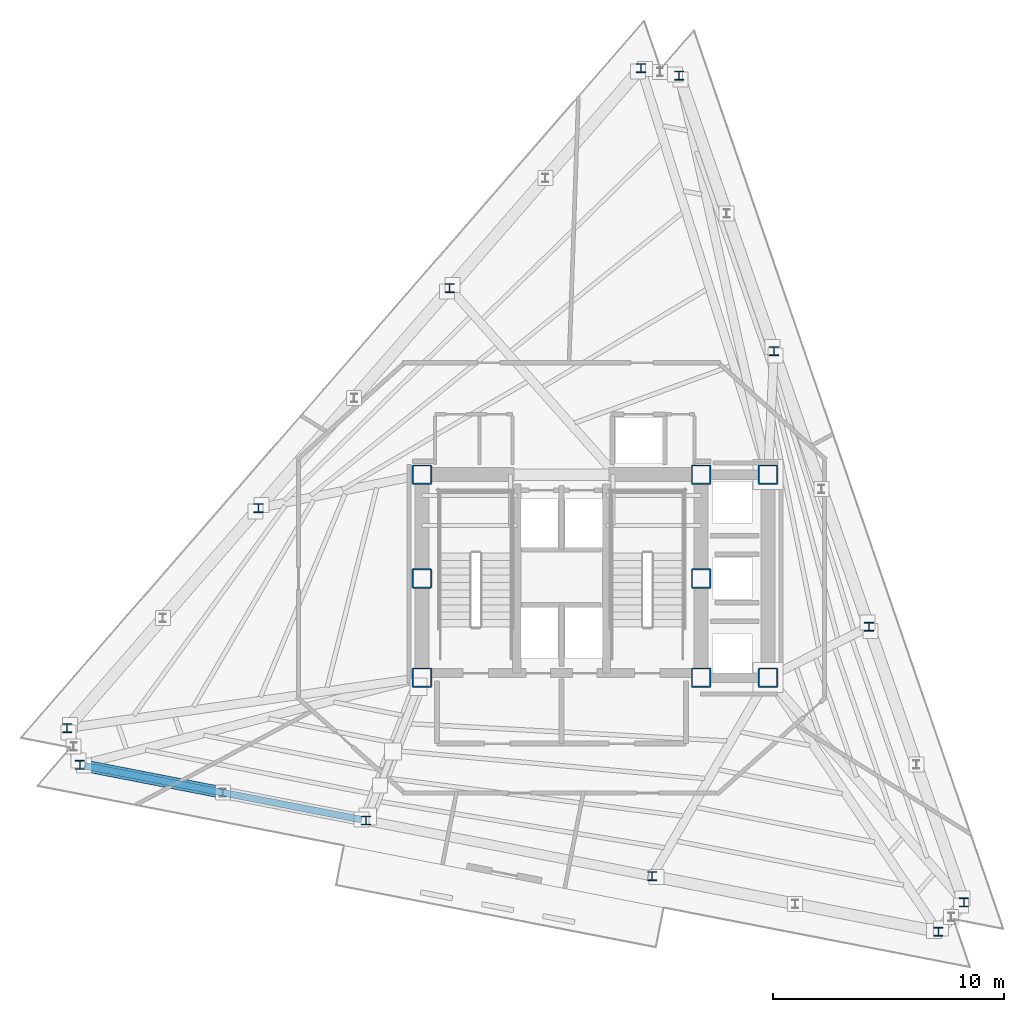
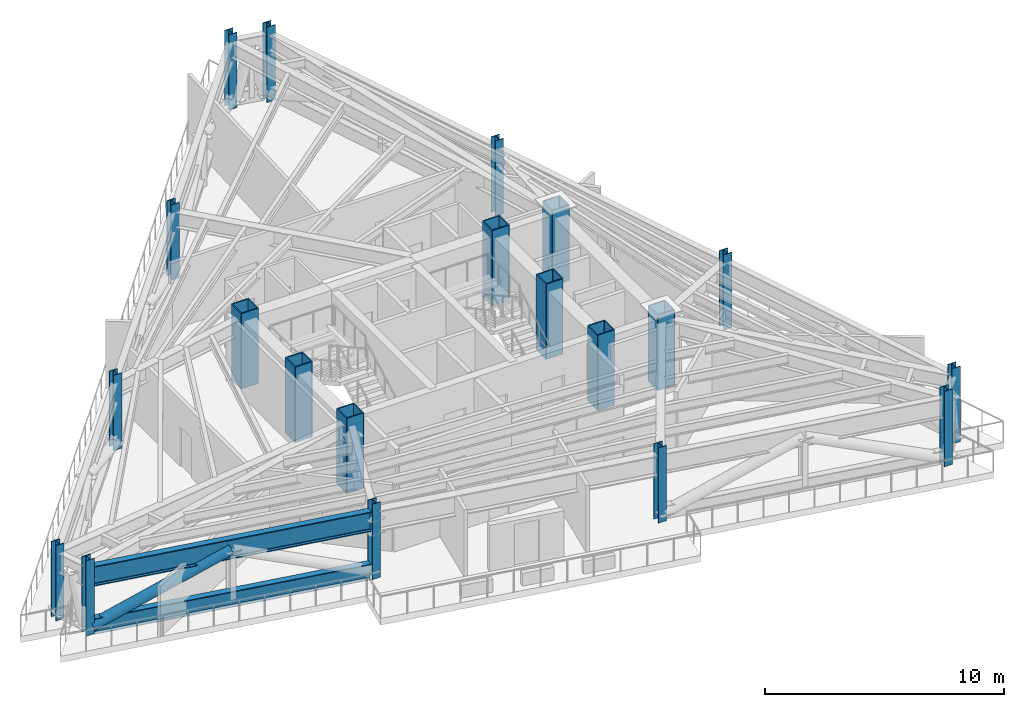
# One storey, part 1 of 8: 20 columns, 2 members, 1 beam.
"""IFC4 building model written with IfcOpenShell, lengths in metres."""

from ifc_helpers import new_model, si_unit, direction, frame, origin, origin_2d, place, context, subcontext, project, spatial, hollow_rectangle, hollow_circle, i_section, extrude, material, material_profile, profile_set, type_object, element, save


model = new_model("IFC4")

# Units and contexts
model_context = context("Model", 3, precision=1e-05, world=origin(), true_north=direction((0.0, 1.0)))
body_context = subcontext(model_context, "Body", "Model", "MODEL_VIEW")
ifc_project = project(units=[si_unit("LENGTHUNIT", "METRE"), si_unit("AREAUNIT", "SQUARE_METRE"), si_unit("VOLUMEUNIT", "CUBIC_METRE"), si_unit("PLANEANGLEUNIT", "RADIAN"), si_unit("MASSUNIT", "GRAM", prefix="KILO")], contexts=[model_context])

# Site, building, storey
site_placement = place(None, origin())
site = spatial("IfcSite", under=ifc_project, at=site_placement, CompositionType="ELEMENT")
building_placement = place(site_placement, origin())
building = spatial("IfcBuilding", under=site, at=building_placement, Name="Rocaltana Carrier Exchange", CompositionType="ELEMENT")
storey_placement = place(building_placement, frame((0.0, 0.0, 171.52001953125)))
storey = spatial("IfcBuildingStorey", under=building, at=storey_placement, Name="L54", CompositionType="ELEMENT", Elevation=171.52001953125)

# Columns
ifc_material_1 = material(Name="Steel S460", Category="steel")
ifc_material_profile_1 = material_profile(ifc_material_1, hollow_rectangle(XDim=0.85009765625, YDim=0.85009765625, WallThickness=0.054931640625, InnerFilletRadius=0.02001953125, OuterFilletRadius=0.0400390625, at=origin_2d()), Name="BOX850X850X55")
ifc_profile_set_1 = profile_set([ifc_material_profile_1], Name="Steel S460")
column_type_1 = type_object("IfcColumnType", Name="Core Mega-Column BOX850", PredefinedType="COLUMN", material=ifc_profile_set_1)
for number, where, z_axis, x_axis, name in (
    (1, (-6.050048828125, 4.5, 0.0), (0.0, 0.0, 1.0), (1.0, 0.0, 0.0), "L54 Core Mega-Column MC1"),
    (2, (6.050048828125, 4.5, 0.0), (0.0, 0.0, 1.0), (1.0, 0.0, 0.0), "L54 Core Mega-Column MC2"),
    (3, (-6.050048828125, 0.0, 0.0), (0.0, 0.0, 1.0), (1.0, 0.0, 0.0), "L54 Core Mega-Column MC3"),
    (4, (6.050048828125, 0.0, 0.0), (0.0, 0.0, 1.0), (1.0, 0.0, 0.0), "L54 Core Mega-Column MC4"),
    (5, (-6.050048828125, -4.300048828125, 0.0), (0.0, 0.0, 1.0), (1.0, 0.0, 0.0), "L54 Core Mega-Column MC5"),
    (6, (6.050048828125, -4.300048828125, 0.0), (0.0, 0.0, 1.0), (1.0, 0.0, 0.0), "L54 Core Mega-Column MC6"),
    (7, (8.949951171875, 4.5, 0.0), (0.0, 0.0, 1.0), (1.0, 0.0, 0.0), "L54 East Core Column EC1"),
    (8, (8.949951171875, -4.300048828125, 0.0), (0.0, 0.0, 1.0), (1.0, 0.0, 0.0), "L54 East Core Column EC2"),
):
    element("IfcColumn", number, at=place(storey_placement, frame(where, z_axis=z_axis, x_axis=x_axis)), inside=storey, type_object=column_type_1, Name=name, PredefinedType="COLUMN", context=body_context, shape_type="SweptSolid", body=[
        extrude(hollow_rectangle(XDim=0.85009765625, YDim=0.85009765625, WallThickness=0.054931640625, InnerFilletRadius=0.02001953125, OuterFilletRadius=0.0400390625, at=origin_2d()), origin(), (0.0, 0.0, 1.0), 3.840087890625),
    ])
ifc_material_2 = material(Name="Steel S355", Category="steel")
ifc_material_profile_2 = material_profile(ifc_material_2, i_section(OverallWidth=0.39794921875, OverallDepth=0.386962890625, WebThickness=0.02099609375, FlangeThickness=0.033203125, FilletRadius=0.01806640625, at=origin_2d()), Name="W14X176")
ifc_profile_set_2 = profile_set([ifc_material_profile_2], Name="Steel S355")
column_type_2 = type_object("IfcColumnType", Name="Perimeter Column W14X176", PredefinedType="COLUMN", material=ifc_profile_set_2)
for number, where, z_axis, x_axis, name in (
    (9, (17.43408203125, -14.038818359375, 0.0), (0.0, 0.0, 1.0), (1.0, 0.0, 0.0), "L54 Perimeter Column TC01"),
    (10, (13.321044921875, -2.09375, 0.0), (0.0, 0.0, 1.0), (1.0, 0.0, 0.0), "L54 Perimeter Column TC02"),
    (11, (9.2080078125, 9.851318359375, 0.0), (0.0, 0.0, 1.0), (1.0, 0.0, 0.0), "L54 Perimeter Column TC03"),
    (12, (5.094970703125, 21.79638671875, 0.0), (0.0, 0.0, 1.0), (1.0, 0.0, 0.0), "L54 Perimeter Column TC04"),
    (13, (3.44091796875, 22.117919921875, 0.0), (0.0, 0.0, 1.0), (1.0, 0.0, 0.0), "L54 Perimeter Column TC05"),
    (14, (-4.84716796875, 12.583251953125, 0.0), (0.0, 0.0, 1.0), (1.0, 0.0, 0.0), "L54 Perimeter Column TC06"),
    (15, (-13.135498046875, 3.048828125, 0.0), (0.0, 0.0, 1.0), (1.0, 0.0, 0.0), "L54 Perimeter Column TC07"),
    (16, (-21.423583984375, -6.485595703125, 0.0), (0.0, 0.0, 1.0), (1.0, 0.0, 0.0), "L54 Perimeter Column TC08"),
    (17, (-20.875, -8.078857421875, 0.0), (0.0, 0.0, 1.0), (1.0, 0.0, 0.0), "L54 Perimeter Column TC09"),
    (18, (-8.473876953125, -10.489501953125, 0.0), (0.0, 0.0, 1.0), (1.0, 0.0, 0.0), "L54 Perimeter Column TC10"),
    (19, (3.927490234375, -12.89990234375, 0.0), (0.0, 0.0, 1.0), (1.0, 0.0, 0.0), "L54 Perimeter Column TC11"),
    (20, (16.32861328125, -15.310546875, 0.0), (0.0, 0.0, 1.0), (1.0, 0.0, 0.0), "L54 Perimeter Column TC12"),
):
    element("IfcColumn", number, at=place(storey_placement, frame(where, z_axis=z_axis, x_axis=x_axis)), inside=storey, type_object=column_type_2, Name=name, PredefinedType="COLUMN", context=body_context, shape_type="SweptSolid", body=[
        extrude(i_section(OverallWidth=0.39794921875, OverallDepth=0.386962890625, WebThickness=0.02099609375, FlangeThickness=0.033203125, FilletRadius=0.01806640625, at=origin_2d()), origin(), (0.0, 0.0, 1.0), 3.840087890625),
    ])

# Members
ifc_material_3 = material(Name="Steel S460", Category="steel")
ifc_material_profile_3 = material_profile(ifc_material_3, i_section(OverallWidth=0.300048828125, OverallDepth=0.800048828125, WebThickness=0.017578125, FlangeThickness=0.032958984375, FilletRadius=0.030029296875, at=origin_2d()), Name="HEB800")
ifc_profile_set_3 = profile_set([ifc_material_profile_3], Name="Steel S460")
member_type_1 = type_object("IfcMemberType", Name="Belt Truss Chord HEB800", PredefinedType="CHORD", material=ifc_profile_set_3)
member_1_placement = place(storey_placement, frame((-20.689208984375, -8.114990234375, 0.35009765625), z_axis=(0.981629073787, -0.190799270167, 0.0), x_axis=(0.190799270167, 0.981629073787, 0.0)))
element("IfcMember", 21, at=member_1_placement, inside=storey, type_object=member_type_1, Name="L54 Belt Truss Bottom Chord 9", PredefinedType="CHORD", context=body_context, shape_type="SweptSolid", body=[
    extrude(i_section(OverallWidth=0.300048828125, OverallDepth=0.800048828125, WebThickness=0.017578125, FlangeThickness=0.032958984375, FilletRadius=0.030029296875, at=origin_2d()), origin(), (0.0, 0.0, 1.0), 12.25439453125),
])
ifc_material_4 = material(Name="Steel S460", Category="steel")
ifc_material_profile_4 = material_profile(ifc_material_4, hollow_circle(Radius=0.25390625, WallThickness=0.02001953125, at=origin_2d()), Name="CHS508X20")
ifc_profile_set_4 = profile_set([ifc_material_profile_4], Name="Steel S460")
member_type_2 = type_object("IfcMemberType", Name="Belt Truss Diagonal CHS508", PredefinedType="BRACE", material=ifc_profile_set_4)
member_2_placement = place(storey_placement, frame((-20.689208984375, -8.114990234375, 0.35009765625), z_axis=(0.909515308676, -0.176800974722, 0.376195851413), x_axis=(0.190818467441, 0.981625342217, 0.0)))
element("IfcMember", 22, at=member_2_placement, inside=storey, type_object=member_type_2, Name="L54 Belt Truss Diagonal 9A", PredefinedType="BRACE", context=body_context, shape_type="SweptSolid", body=[
    extrude(hollow_circle(Radius=0.25390625, WallThickness=0.02001953125, at=origin_2d()), origin(), (0.0, 0.0, 1.0), 6.613037109375),
])

# Beam
ifc_material_5 = material(Name="Steel S460", Category="steel")
ifc_material_profile_5 = material_profile(ifc_material_5, i_section(OverallWidth=0.302001953125, OverallDepth=1.008056640625, WebThickness=0.02099609375, FlangeThickness=0.0400390625, FilletRadius=0.030029296875, at=origin_2d()), Name="HEM1000")
ifc_profile_set_5 = profile_set([ifc_material_profile_5], Name="Steel S460")
beam_type = type_object("IfcBeamType", Name="Transfer Ring Girder HEM1000", PredefinedType="USERDEFINED", material=ifc_profile_set_5)
beam_placement = place(storey_placement, frame((-20.693115234375, -8.1142578125, 2.9140625), z_axis=(0.981626164488, -0.190814237394, 0.0), x_axis=(0.190814237394, 0.981626164488, 0.0)))
element("IfcBeam", 23, at=beam_placement, inside=storey, type_object=beam_type, Name="SP-L54-09", ObjectType="TRANSFER GIRDER", PredefinedType="USERDEFINED", context=body_context, shape_type="SweptSolid", body=[
    extrude(i_section(OverallWidth=0.302001953125, OverallDepth=1.008056640625, WebThickness=0.02099609375, FlangeThickness=0.0400390625, FilletRadius=0.030029296875, at=origin_2d()), origin(), (0.0, 0.0, 1.0), 12.262451171875),
])

save(model, "model.ifc")
